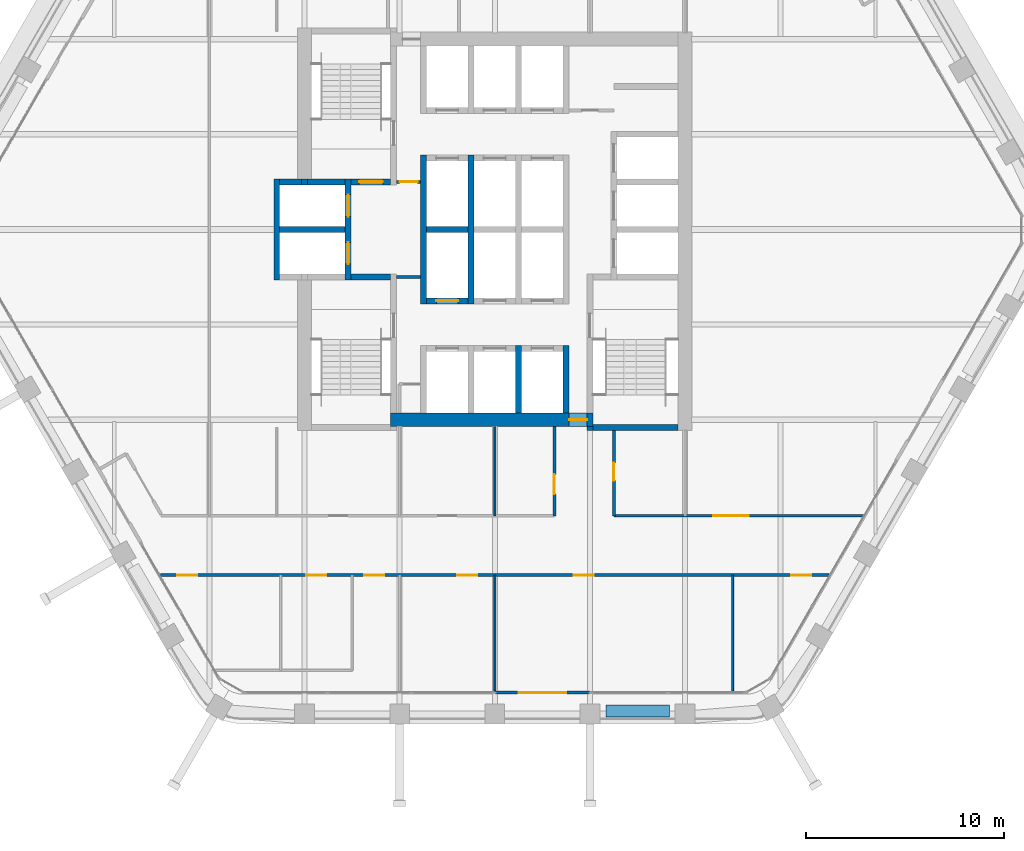
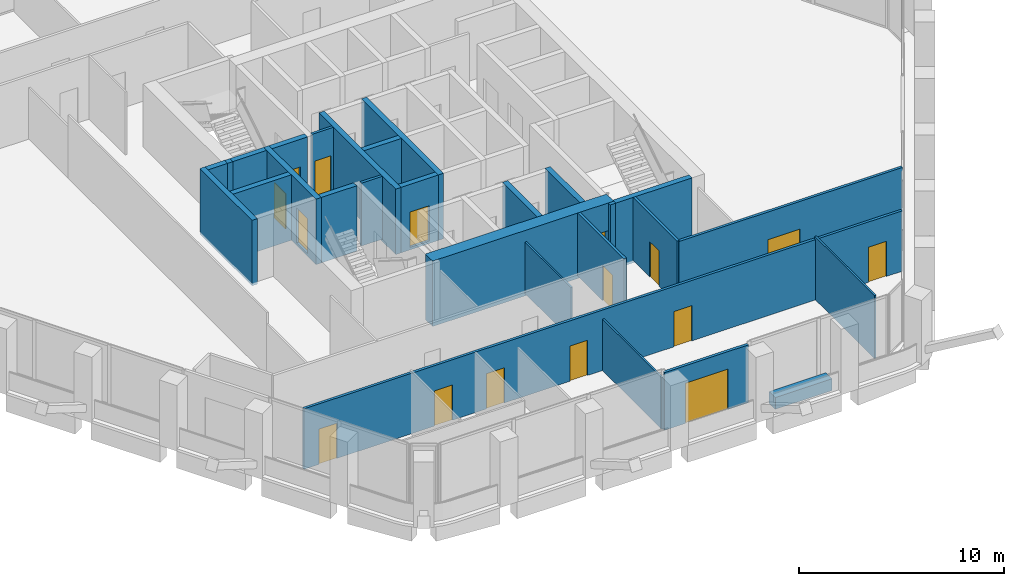
# One storey, part 10 of 16: 28 walls, 16 doors, 16 openings.
"""IFC4 building model written with IfcOpenShell, lengths in metres."""

from ifc_helpers import new_model, si_unit, direction, frame, frame_2d, origin, place, context, subcontext, project, spatial, rectangle, extrude, material, layer, layer_set, type_object, element, fill, save


model = new_model("IFC4")

# Units and contexts
model_context = context("Model", 3, precision=1e-05, world=origin(), true_north=direction((0.0, 1.0)))
body_context = subcontext(model_context, "Body", "Model", "MODEL_VIEW")
ifc_project = project(units=[si_unit("LENGTHUNIT", "METRE"), si_unit("AREAUNIT", "SQUARE_METRE"), si_unit("VOLUMEUNIT", "CUBIC_METRE"), si_unit("PLANEANGLEUNIT", "RADIAN"), si_unit("MASSUNIT", "GRAM", prefix="KILO")], contexts=[model_context])

# Site, building, storey
site_placement = place(None, origin())
site = spatial("IfcSite", under=ifc_project, at=site_placement, CompositionType="ELEMENT")
building_placement = place(site_placement, origin())
building = spatial("IfcBuilding", under=site, at=building_placement, Name="Kolab Exchange Tower", CompositionType="ELEMENT")
storey_placement = place(building_placement, frame((0.0, 0.0, 209.0)))
storey = spatial("IfcBuildingStorey", under=building, at=storey_placement, Name="L45", CompositionType="ELEMENT", Elevation=209.0)

# Wall, opening, door
ifc_material_1 = material(Name="Concrete C60/75", Category="concrete")
ifc_layer_1 = layer(ifc_material_1, 0.699951171875)
ifc_layer_set_1 = layer_set([ifc_layer_1], Name="Concrete C60/75")
wall_type_1 = type_object("IfcWallType", Name="CORE WALL 700 C60/75", PredefinedType="SHEAR", material=ifc_layer_set_1)
wall_1_placement = place(storey_placement, frame((-5.25, -9.60009765625, -0.14990234375), z_axis=(0.0, 0.0, 1.0), x_axis=(1.0, 0.0, 0.0)))
wall_1 = element("IfcWall", 1, at=wall_1_placement, inside=storey, type_object=wall_type_1, Name="wall/L45/core/002", PredefinedType="SHEAR", context=body_context, shape_type="SweptSolid", body=[
    extrude(rectangle(XDim=10.199951171875, YDim=0.699951171875, at=frame_2d((5.10009765625, 0.0))), origin(), (0.0, 0.0, 1.0), 3.89990234375),
])
opening_1_placement = place(wall_1_placement, frame((9.0, 0.0, 0.14990234375)))
opening_1 = element("IfcOpeningElement", 2, at=opening_1_placement, cuts=wall_1, Name="Opening D6-287", PredefinedType="OPENING", context=body_context, shape_type="SweptSolid", body=[
    extrude(rectangle(XDim=0.89990234375, YDim=2.10009765625, at=frame_2d((0.449951171875, 1.050048828125))), frame((0.0, 0.35986328125, 0.0), z_axis=(0.0, -1.0, 0.0), x_axis=(1.0, 0.0, 0.0)), (0.0, 0.0, 1.0), 0.719970703125),
])
ifc_material_2 = material(Name="Steel S235", Category="steel")
door_type_1 = type_object("IfcDoorType", Name="CORE DOOR 900 EI 120", OperationType="SINGLE_SWING_LEFT", PredefinedType="DOOR", material=ifc_material_2)
door_1_placement = place(opening_1_placement, origin())
door_1 = element("IfcDoor", 3, at=door_1_placement, inside=storey, type_object=door_type_1, Name="Core lobby door", OperationType="SINGLE_SWING_LEFT", OverallHeight=2.10009765625, OverallWidth=0.89990234375, PredefinedType="DOOR", context=body_context, shape_type="SweptSolid", body=[
    extrude(rectangle(XDim=0.89990234375, YDim=2.10009765625, at=frame_2d((0.449951171875, 1.050048828125))), frame((0.0, 0.02490234375, 0.0), z_axis=(0.0, -1.0, 0.0), x_axis=(1.0, 0.0, 0.0)), (0.0, 0.0, 1.0), 0.050048828125),
])
fill(opening_1, door_1)

ifc_material_3 = material(Name="Aluminium EN AW-6063 T6", Category="aluminium")
ifc_layer_2 = layer(ifc_material_3, 0.159912109375)
ifc_layer_set_2 = layer_set([ifc_layer_2], Name="Aluminium EN AW-6063 T6")
wall_type_2 = type_object("IfcWallType", Name="DOOR SURROUND WALL 160 ALUMINIUM FRAMED", PredefinedType="PARTITIONING", material=ifc_layer_set_2)
wall_2_placement = place(storey_placement, frame((4.77001953125, -23.361572265625, 0.0), z_axis=(0.0, 0.0, 1.0), x_axis=(-1.0, 0.0, 0.0)))
wall_2 = element("IfcWall", 4, at=wall_2_placement, inside=storey, type_object=wall_type_2, Name="Door surround wall", PredefinedType="PARTITIONING", context=body_context, shape_type="SweptSolid", body=[
    extrude(rectangle(XDim=4.739990234375, YDim=0.159912109375, at=frame_2d((2.3701171875, 0.0))), origin(), (0.0, 0.0, 1.0), 3.43994140625),
])
opening_2_placement = place(wall_2_placement, frame((1.169921875, 0.0, 0.0)))
opening_2 = element("IfcOpeningElement", 5, at=opening_2_placement, cuts=wall_2, Name="Opening GD1-084", PredefinedType="OPENING", context=body_context, shape_type="SweptSolid", body=[
    extrude(rectangle(XDim=2.39990234375, YDim=2.39990234375, at=frame_2d((1.199951171875, 1.199951171875))), frame((0.0, 0.08984375, 0.0), z_axis=(0.0, -1.0, 0.0), x_axis=(1.0, 0.0, 0.0)), (0.0, 0.0, 1.0), 0.179931640625),
])
door_type_2 = type_object("IfcDoorType", Name="LOGGIA SLIDING GLASS DOOR 2400 X 2400", OperationType="DOUBLE_DOOR_SINGLE_SWING", PredefinedType="DOOR", material=ifc_material_3)
door_2_placement = place(opening_2_placement, origin())
door_2 = element("IfcDoor", 6, at=door_2_placement, inside=storey, type_object=door_type_2, Name="Loggia door", OperationType="DOUBLE_DOOR_SLIDING", OverallHeight=2.39990234375, OverallWidth=2.39990234375, PredefinedType="DOOR", context=body_context, shape_type="SweptSolid", body=[
    extrude(rectangle(XDim=2.39990234375, YDim=2.39990234375, at=frame_2d((1.199951171875, 1.199951171875))), frame((0.0, 0.02490234375, 0.0), z_axis=(0.0, -1.0, 0.0), x_axis=(1.0, 0.0, 0.0)), (0.0, 0.0, 1.0), 0.050048828125),
])
fill(opening_2, door_2)

ifc_material_4 = material(Name="Concrete C50/60", Category="concrete")
ifc_layer_3 = layer(ifc_material_4, 0.300048828125)
ifc_layer_set_3 = layer_set([ifc_layer_3], Name="Concrete C50/60")
wall_type_3 = type_object("IfcWallType", Name="LIFT SHAFT WALL 300 C50/60", PredefinedType="STANDARD", material=ifc_layer_set_3)
wall_3_placement = place(storey_placement, frame((-3.449951171875, -3.60009765625, -0.14990234375), z_axis=(0.0, 0.0, 1.0), x_axis=(1.0, 0.0, 0.0)))
wall_3 = element("IfcWall", 7, at=wall_3_placement, inside=storey, type_object=wall_type_3, Name="wall/L45/core/006", PredefinedType="STANDARD", context=body_context, shape_type="SweptSolid", body=[
    extrude(rectangle(XDim=2.099853515625, YDim=0.300048828125, at=frame_2d((1.0498046875, 0.0))), origin(), (0.0, 0.0, 1.0), 3.89990234375),
])
opening_3_placement = place(wall_3_placement, frame((0.5, 0.0, 0.14990234375)))
opening_3 = element("IfcOpeningElement", 8, at=opening_3_placement, cuts=wall_3, Name="Opening LD1-118", PredefinedType="OPENING", context=body_context, shape_type="SweptSolid", body=[
    extrude(rectangle(XDim=1.10009765625, YDim=2.10009765625, at=frame_2d((0.550048828125, 1.050048828125))), frame((0.0, 0.16015625, 0.0), z_axis=(0.0, -1.0, 0.0), x_axis=(1.0, 0.0, 0.0)), (0.0, 0.0, 1.0), 0.320068359375),
])
ifc_material_5 = material(Name="Stainless steel 316", Category="steel")
door_type_3 = type_object("IfcDoorType", Name="LANDING DOOR 1100 PASSENGER", OperationType="DOUBLE_DOOR_SLIDING", PredefinedType="DOOR", material=ifc_material_5)
door_3_placement = place(opening_3_placement, origin())
door_3 = element("IfcDoor", 9, at=door_3_placement, inside=storey, type_object=door_type_3, Name="Landing door HR7", OperationType="DOUBLE_DOOR_SLIDING", OverallHeight=2.10009765625, OverallWidth=1.10009765625, PredefinedType="DOOR", context=body_context, shape_type="SweptSolid", body=[
    extrude(rectangle(XDim=1.10009765625, YDim=2.10009765625, at=frame_2d((0.550048828125, 1.050048828125))), frame((0.0, 0.02490234375, 0.0), z_axis=(0.0, -1.0, 0.0), x_axis=(1.0, 0.0, 0.0)), (0.0, 0.0, 1.0), 0.050048828125),
])
fill(opening_3, door_3)

# Walls
wall_4_placement = place(storey_placement, frame((-10.85009765625, 0.0, -0.14990234375), z_axis=(0.0, 0.0, 1.0), x_axis=(1.0, 0.0, 0.0)))
element("IfcWall", 10, at=wall_4_placement, inside=storey, type_object=wall_type_3, Name="wall/L45/core/014", PredefinedType="STANDARD", context=body_context, shape_type="SweptSolid", body=[
    extrude(rectangle(XDim=3.300048828125, YDim=0.300048828125, at=frame_2d((1.64990234375, 0.0))), origin(), (0.0, 0.0, 1.0), 3.89990234375),
])
wall_5_placement = place(storey_placement, frame((-3.449951171875, 0.0, -0.14990234375), z_axis=(0.0, 0.0, 1.0), x_axis=(1.0, 0.0, 0.0)))
element("IfcWall", 11, at=wall_5_placement, inside=storey, type_object=wall_type_3, Name="wall/L45/core/015", PredefinedType="STANDARD", context=body_context, shape_type="SweptSolid", body=[
    extrude(rectangle(XDim=2.099853515625, YDim=0.300048828125, at=frame_2d((1.0498046875, 0.0))), origin(), (0.0, 0.0, 1.0), 3.89990234375),
])
wall_6_placement = place(storey_placement, frame((-10.85009765625, 2.39990234375, -0.14990234375), z_axis=(0.0, 0.0, 1.0), x_axis=(1.0, 0.0, 0.0)))
element("IfcWall", 12, at=wall_6_placement, inside=storey, type_object=wall_type_3, Name="wall/L45/core/019", PredefinedType="STANDARD", context=body_context, shape_type="SweptSolid", body=[
    extrude(rectangle(XDim=1.10009765625, YDim=0.300048828125, at=frame_2d((0.550048828125, 0.0))), origin(), (0.0, 0.0, 1.0), 3.89990234375),
])
wall_7_placement = place(storey_placement, frame((-11.0, -2.550048828125, -0.14990234375), z_axis=(0.0, 0.0, 1.0), x_axis=(0.0, 1.0, 0.0)))
element("IfcWall", 13, at=wall_7_placement, inside=storey, type_object=wall_type_3, Name="wall/L45/core/033", PredefinedType="STANDARD", context=body_context, shape_type="SweptSolid", body=[
    extrude(rectangle(XDim=5.10009765625, YDim=0.300048828125, at=frame_2d((2.550048828125, 0.0))), origin(), (0.0, 0.0, 1.0), 3.89990234375),
])

# Wall, openings, doors
wall_8_placement = place(storey_placement, frame((-7.39990234375, -2.550048828125, -0.14990234375), z_axis=(0.0, 0.0, 1.0), x_axis=(0.0, 1.0, 0.0)))
wall_8 = element("IfcWall", 14, at=wall_8_placement, inside=storey, type_object=wall_type_3, Name="wall/L45/core/038", PredefinedType="STANDARD", context=body_context, shape_type="SweptSolid", body=[
    extrude(rectangle(XDim=5.10009765625, YDim=0.300048828125, at=frame_2d((2.550048828125, 0.0))), origin(), (0.0, 0.0, 1.0), 3.89990234375),
])
opening_4_placement = place(wall_8_placement, frame((0.800048828125, 0.0, 0.14990234375)))
opening_4 = element("IfcOpeningElement", 15, at=opening_4_placement, cuts=wall_8, Name="Opening LD2-025", PredefinedType="OPENING", context=body_context, shape_type="SweptSolid", body=[
    extrude(rectangle(XDim=1.10009765625, YDim=2.10009765625, at=frame_2d((0.550048828125, 1.050048828125))), frame((0.0, 0.16015625, 0.0), z_axis=(0.0, -1.0, 0.0), x_axis=(1.0, 0.0, 0.0)), (0.0, 0.0, 1.0), 0.320068359375),
])
opening_5_placement = place(wall_8_placement, frame((3.199951171875, 0.0, 0.14990234375)))
opening_5 = element("IfcOpeningElement", 16, at=opening_5_placement, cuts=wall_8, Name="Opening LD2-026", PredefinedType="OPENING", context=body_context, shape_type="SweptSolid", body=[
    extrude(rectangle(XDim=1.10009765625, YDim=2.10009765625, at=frame_2d((0.550048828125, 1.050048828125))), frame((0.0, 0.16015625, 0.0), z_axis=(0.0, -1.0, 0.0), x_axis=(1.0, 0.0, 0.0)), (0.0, 0.0, 1.0), 0.320068359375),
])
door_type_4 = type_object("IfcDoorType", Name="LANDING DOOR 1100 FIREFIGHTING", OperationType="DOUBLE_DOOR_SLIDING", PredefinedType="DOOR", material=ifc_material_5)
door_4_placement = place(opening_4_placement, origin())
door_4 = element("IfcDoor", 17, at=door_4_placement, inside=storey, type_object=door_type_4, Name="Landing door FF1", OperationType="DOUBLE_DOOR_SLIDING", OverallHeight=2.10009765625, OverallWidth=1.10009765625, PredefinedType="DOOR", context=body_context, shape_type="SweptSolid", body=[
    extrude(rectangle(XDim=1.10009765625, YDim=2.10009765625, at=frame_2d((0.550048828125, 1.050048828125))), frame((0.0, 0.02490234375, 0.0), z_axis=(0.0, -1.0, 0.0), x_axis=(1.0, 0.0, 0.0)), (0.0, 0.0, 1.0), 0.050048828125),
])
fill(opening_4, door_4)
door_5_placement = place(opening_5_placement, origin())
door_5 = element("IfcDoor", 18, at=door_5_placement, inside=storey, type_object=door_type_4, Name="Landing door FF2", OperationType="DOUBLE_DOOR_SLIDING", OverallHeight=2.10009765625, OverallWidth=1.10009765625, PredefinedType="DOOR", context=body_context, shape_type="SweptSolid", body=[
    extrude(rectangle(XDim=1.10009765625, YDim=2.10009765625, at=frame_2d((0.550048828125, 1.050048828125))), frame((0.0, 0.02490234375, 0.0), z_axis=(0.0, -1.0, 0.0), x_axis=(1.0, 0.0, 0.0)), (0.0, 0.0, 1.0), 0.050048828125),
])
fill(opening_5, door_5)

# Walls
for number, where, z_axis, x_axis, name in (
    (19, (-3.60009765625, -3.75, -0.14990234375), (0.0, 0.0, 1.0), (0.0, 1.0, 0.0), "wall/L45/core/044"),
    (20, (-1.199951171875, -3.75, -0.14990234375), (0.0, 0.0, 1.0), (0.0, 1.0, 0.0), "wall/L45/core/047"),
):
    element("IfcWall", number, at=place(storey_placement, frame(where, z_axis=z_axis, x_axis=x_axis)), inside=storey, type_object=wall_type_3, Name=name, PredefinedType="STANDARD", context=body_context, shape_type="SweptSolid", body=[
        extrude(rectangle(XDim=7.5, YDim=0.300048828125, at=frame_2d((3.75, 0.0))), origin(), (0.0, 0.0, 1.0), 3.89990234375),
    ])
for number, where, z_axis, x_axis, name in (
    (21, (1.199951171875, -9.25, -0.14990234375), (0.0, 0.0, 1.0), (0.0, 1.0, 0.0), "wall/L45/core/049"),
    (22, (3.60009765625, -9.25, -0.14990234375), (0.0, 0.0, 1.0), (0.0, 1.0, 0.0), "wall/L45/core/052"),
):
    element("IfcWall", number, at=place(storey_placement, frame(where, z_axis=z_axis, x_axis=x_axis)), inside=storey, type_object=wall_type_3, Name=name, PredefinedType="STANDARD", context=body_context, shape_type="SweptSolid", body=[
        extrude(rectangle(XDim=3.39990234375, YDim=0.300048828125, at=frame_2d((1.699951171875, 0.0))), origin(), (0.0, 0.0, 1.0), 3.89990234375),
    ])
ifc_material_6 = material(Name="Gypsum board", Category="gypsum")
ifc_layer_4 = layer(ifc_material_6, 0.10009765625)
ifc_layer_set_4 = layer_set([ifc_layer_4], Name="Gypsum board")
wall_type_4 = type_object("IfcWallType", Name="PARTITION 100", PredefinedType="PARTITIONING", material=ifc_layer_set_4)
wall_9_placement = place(storey_placement, frame((12.0, -23.271484375, 0.0), z_axis=(0.0, 0.0, 1.0), x_axis=(0.0, 1.0, 0.0)))
element("IfcWall", 23, at=wall_9_placement, inside=storey, type_object=wall_type_4, Name="Partition 001", PredefinedType="PARTITIONING", context=body_context, shape_type="SweptSolid", body=[
    extrude(rectangle(XDim=5.830078125, YDim=0.10009765625, at=frame_2d((2.9150390625, 0.0))), origin(), (0.0, 0.0, 1.0), 3.75),
])
wall_10_placement = place(storey_placement, frame((0.0, -23.281494140625, 0.0), z_axis=(0.0, 0.0, 1.0), x_axis=(0.0, 1.0, 0.0)))
element("IfcWall", 24, at=wall_10_placement, inside=storey, type_object=wall_type_4, Name="Partition 009", PredefinedType="PARTITIONING", context=body_context, shape_type="SweptSolid", body=[
    extrude(rectangle(XDim=5.840087890625, YDim=0.10009765625, at=frame_2d((2.919921875, 0.0))), origin(), (0.0, 0.0, 1.0), 3.06591796875),
])
wall_11_placement = place(storey_placement, frame((0.0, -14.44140625, 0.0), z_axis=(0.0, 0.0, 1.0), x_axis=(0.0, 1.0, 0.0)))
element("IfcWall", 25, at=wall_11_placement, inside=storey, type_object=wall_type_4, Name="Partition 010", PredefinedType="PARTITIONING", context=body_context, shape_type="SweptSolid", body=[
    extrude(rectangle(XDim=4.491455078125, YDim=0.10009765625, at=frame_2d((2.24560546875, 0.0))), origin(), (0.0, 0.0, 1.0), 3.06591796875),
])

# Wall, opening, door
ifc_layer_5 = layer(ifc_material_6, 0.14990234375)
ifc_layer_set_5 = layer_set([ifc_layer_5], Name="Gypsum board")
wall_type_5 = type_object("IfcWallType", Name="PARTITION 150 FIRE-RATED", PredefinedType="PARTITIONING", material=ifc_layer_set_5)
wall_12_placement = place(storey_placement, frame((6.0, -14.44140625, 0.0), z_axis=(0.0, 0.0, 1.0), x_axis=(0.0, 1.0, 0.0)))
wall_12 = element("IfcWall", 26, at=wall_12_placement, inside=storey, type_object=wall_type_5, Name="Partition 005", PredefinedType="PARTITIONING", context=body_context, shape_type="SweptSolid", body=[
    extrude(rectangle(XDim=4.29150390625, YDim=0.14990234375, at=frame_2d((2.145751953125, 0.0))), origin(), (0.0, 0.0, 1.0), 3.75),
])
opening_6_placement = place(wall_12_placement, frame((1.770751953125, 0.0, 0.0)))
opening_6 = element("IfcOpeningElement", 27, at=opening_6_placement, cuts=wall_12, Name="Opening D3-063", PredefinedType="OPENING", context=body_context, shape_type="SweptSolid", body=[
    extrude(rectangle(XDim=0.89990234375, YDim=2.10009765625, at=frame_2d((0.449951171875, 1.050048828125))), frame((0.0, 0.0849609375, 0.0), z_axis=(0.0, -1.0, 0.0), x_axis=(1.0, 0.0, 0.0)), (0.0, 0.0, 1.0), 0.169921875),
])
door_type_5 = type_object("IfcDoorType", Name="FLUSH DOOR 900 FD60", OperationType="SINGLE_SWING_LEFT", PredefinedType="DOOR", material=ifc_material_2)
door_6_placement = place(opening_6_placement, frame((0.89990234375, 0.0, 0.0), z_axis=(0.0, 0.0, 1.0), x_axis=(-1.0, 0.0, 0.0)))
door_6 = element("IfcDoor", 28, at=door_6_placement, inside=storey, type_object=door_type_5, Name="Door L45-034", OperationType="SINGLE_SWING_RIGHT", OverallHeight=2.10009765625, OverallWidth=0.89990234375, PredefinedType="DOOR", context=body_context, shape_type="SweptSolid", body=[
    extrude(rectangle(XDim=0.89990234375, YDim=2.10009765625, at=frame_2d((0.449951171875, 1.050048828125))), frame((0.0, 0.02490234375, 0.0), z_axis=(0.0, -1.0, 0.0), x_axis=(1.0, 0.0, 0.0)), (0.0, 0.0, 1.0), 0.050048828125),
])
fill(opening_6, door_6)

wall_13_placement = place(storey_placement, frame((3.0, -14.44140625, 0.0), z_axis=(0.0, 0.0, 1.0), x_axis=(0.0, 1.0, 0.0)))
wall_13 = element("IfcWall", 29, at=wall_13_placement, inside=storey, type_object=wall_type_5, Name="Partition 008", PredefinedType="PARTITIONING", context=body_context, shape_type="SweptSolid", body=[
    extrude(rectangle(XDim=4.491455078125, YDim=0.14990234375, at=frame_2d((2.24560546875, 0.0))), origin(), (0.0, 0.0, 1.0), 3.75),
])
opening_7_placement = place(wall_13_placement, frame((1.08544921875, 0.0, 0.0)))
opening_7 = element("IfcOpeningElement", 30, at=opening_7_placement, cuts=wall_13, Name="Opening D1-571", PredefinedType="OPENING", context=body_context, shape_type="SweptSolid", body=[
    extrude(rectangle(XDim=1.0, YDim=2.10009765625, at=frame_2d((0.5, 1.050048828125))), frame((0.0, 0.0849609375, 0.0), z_axis=(0.0, -1.0, 0.0), x_axis=(1.0, 0.0, 0.0)), (0.0, 0.0, 1.0), 0.169921875),
])
door_type_6 = type_object("IfcDoorType", Name="FLUSH DOOR 1000 FD60", OperationType="SINGLE_SWING_LEFT", PredefinedType="DOOR", material=ifc_material_2)
door_7_placement = place(opening_7_placement, origin())
door_7 = element("IfcDoor", 31, at=door_7_placement, inside=storey, type_object=door_type_6, Name="Door L45-037", OperationType="SINGLE_SWING_LEFT", OverallHeight=2.10009765625, OverallWidth=1.0, PredefinedType="DOOR", context=body_context, shape_type="SweptSolid", body=[
    extrude(rectangle(XDim=1.0, YDim=2.10009765625, at=frame_2d((0.5, 1.050048828125))), frame((0.0, 0.02490234375, 0.0), z_axis=(0.0, -1.0, 0.0), x_axis=(1.0, 0.0, 0.0)), (0.0, 0.0, 1.0), 0.050048828125),
])
fill(opening_7, door_7)

# Wall, openings, doors
wall_14_placement = place(storey_placement, frame((-16.859619140625, -17.44140625, 0.0), z_axis=(0.0, 0.0, 1.0), x_axis=(1.0, 0.0, 0.0)))
wall_14 = element("IfcWall", 32, at=wall_14_placement, inside=storey, type_object=wall_type_5, Name="Partition 029", PredefinedType="PARTITIONING", context=body_context, shape_type="SweptSolid", body=[
    extrude(rectangle(XDim=33.71923828125, YDim=0.14990234375, at=frame_2d((16.859619140625, 0.0))), origin(), (0.0, 0.0, 1.0), 3.60009765625),
])
opening_8_placement = place(wall_14_placement, frame((0.85107421875, 0.0, 0.0)))
opening_8 = element("IfcOpeningElement", 33, at=opening_8_placement, cuts=wall_14, Name="Opening D1-585", PredefinedType="OPENING", context=body_context, shape_type="SweptSolid", body=[
    extrude(rectangle(XDim=1.0, YDim=2.10009765625, at=frame_2d((0.5, 1.050048828125))), frame((0.0, 0.0849609375, 0.0), z_axis=(0.0, -1.0, 0.0), x_axis=(1.0, 0.0, 0.0)), (0.0, 0.0, 1.0), 0.169921875),
])
opening_9_placement = place(wall_14_placement, frame((7.359619140625, 0.0, 0.0)))
opening_9 = element("IfcOpeningElement", 34, at=opening_9_placement, cuts=wall_14, Name="Opening D1-586", PredefinedType="OPENING", context=body_context, shape_type="SweptSolid", body=[
    extrude(rectangle(XDim=1.0, YDim=2.10009765625, at=frame_2d((0.5, 1.050048828125))), frame((0.0, 0.0849609375, 0.0), z_axis=(0.0, -1.0, 0.0), x_axis=(1.0, 0.0, 0.0)), (0.0, 0.0, 1.0), 0.169921875),
])
opening_10_placement = place(wall_14_placement, frame((10.284423828125, 0.0, 0.0)))
opening_10 = element("IfcOpeningElement", 35, at=opening_10_placement, cuts=wall_14, Name="Opening D1-587", PredefinedType="OPENING", context=body_context, shape_type="SweptSolid", body=[
    extrude(rectangle(XDim=1.0, YDim=2.10009765625, at=frame_2d((0.5, 1.050048828125))), frame((0.0, 0.0849609375, 0.0), z_axis=(0.0, -1.0, 0.0), x_axis=(1.0, 0.0, 0.0)), (0.0, 0.0, 1.0), 0.169921875),
])
opening_11_placement = place(wall_14_placement, frame((14.974609375, 0.0, 0.0)))
opening_11 = element("IfcOpeningElement", 36, at=opening_11_placement, cuts=wall_14, Name="Opening D1-588", PredefinedType="OPENING", context=body_context, shape_type="SweptSolid", body=[
    extrude(rectangle(XDim=1.0, YDim=2.10009765625, at=frame_2d((0.5, 1.050048828125))), frame((0.0, 0.0849609375, 0.0), z_axis=(0.0, -1.0, 0.0), x_axis=(1.0, 0.0, 0.0)), (0.0, 0.0, 1.0), 0.169921875),
])
opening_12_placement = place(wall_14_placement, frame((20.844482421875, 0.0, 0.0)))
opening_12 = element("IfcOpeningElement", 37, at=opening_12_placement, cuts=wall_14, Name="Opening D1-589", PredefinedType="OPENING", context=body_context, shape_type="SweptSolid", body=[
    extrude(rectangle(XDim=1.0, YDim=2.10009765625, at=frame_2d((0.5, 1.050048828125))), frame((0.0, 0.0849609375, 0.0), z_axis=(0.0, -1.0, 0.0), x_axis=(1.0, 0.0, 0.0)), (0.0, 0.0, 1.0), 0.169921875),
])
opening_13_placement = place(wall_14_placement, frame((31.80908203125, 0.0, 0.0)))
opening_13 = element("IfcOpeningElement", 38, at=opening_13_placement, cuts=wall_14, Name="Opening D1-590", PredefinedType="OPENING", context=body_context, shape_type="SweptSolid", body=[
    extrude(rectangle(XDim=1.0, YDim=2.10009765625, at=frame_2d((0.5, 1.050048828125))), frame((0.0, 0.0849609375, 0.0), z_axis=(0.0, -1.0, 0.0), x_axis=(1.0, 0.0, 0.0)), (0.0, 0.0, 1.0), 0.169921875),
])
door_8_placement = place(opening_8_placement, frame((1.0, 0.0, 0.0), z_axis=(0.0, 0.0, 1.0), x_axis=(-1.0, 0.0, 0.0)))
door_8 = element("IfcDoor", 39, at=door_8_placement, inside=storey, type_object=door_type_6, Name="Door L45-045", OperationType="SINGLE_SWING_LEFT", OverallHeight=2.10009765625, OverallWidth=1.0, PredefinedType="DOOR", context=body_context, shape_type="SweptSolid", body=[
    extrude(rectangle(XDim=1.0, YDim=2.10009765625, at=frame_2d((0.5, 1.050048828125))), frame((0.0, 0.02490234375, 0.0), z_axis=(0.0, -1.0, 0.0), x_axis=(1.0, 0.0, 0.0)), (0.0, 0.0, 1.0), 0.050048828125),
])
fill(opening_8, door_8)
door_9_placement = place(opening_9_placement, frame((1.0, 0.0, 0.0), z_axis=(0.0, 0.0, 1.0), x_axis=(-1.0, 0.0, 0.0)))
door_9 = element("IfcDoor", 40, at=door_9_placement, inside=storey, type_object=door_type_6, Name="Door L45-046", OperationType="SINGLE_SWING_RIGHT", OverallHeight=2.10009765625, OverallWidth=1.0, PredefinedType="DOOR", context=body_context, shape_type="SweptSolid", body=[
    extrude(rectangle(XDim=1.0, YDim=2.10009765625, at=frame_2d((0.5, 1.050048828125))), frame((0.0, 0.02490234375, 0.0), z_axis=(0.0, -1.0, 0.0), x_axis=(1.0, 0.0, 0.0)), (0.0, 0.0, 1.0), 0.050048828125),
])
fill(opening_9, door_9)
door_10_placement = place(opening_10_placement, frame((1.0, 0.0, 0.0), z_axis=(0.0, 0.0, 1.0), x_axis=(-1.0, 0.0, 0.0)))
door_10 = element("IfcDoor", 41, at=door_10_placement, inside=storey, type_object=door_type_6, Name="Door L45-047", OperationType="SINGLE_SWING_LEFT", OverallHeight=2.10009765625, OverallWidth=1.0, PredefinedType="DOOR", context=body_context, shape_type="SweptSolid", body=[
    extrude(rectangle(XDim=1.0, YDim=2.10009765625, at=frame_2d((0.5, 1.050048828125))), frame((0.0, 0.02490234375, 0.0), z_axis=(0.0, -1.0, 0.0), x_axis=(1.0, 0.0, 0.0)), (0.0, 0.0, 1.0), 0.050048828125),
])
fill(opening_10, door_10)
door_11_placement = place(opening_11_placement, frame((1.0, 0.0, 0.0), z_axis=(0.0, 0.0, 1.0), x_axis=(-1.0, 0.0, 0.0)))
door_11 = element("IfcDoor", 42, at=door_11_placement, inside=storey, type_object=door_type_6, Name="Door L45-048", OperationType="SINGLE_SWING_RIGHT", OverallHeight=2.10009765625, OverallWidth=1.0, PredefinedType="DOOR", context=body_context, shape_type="SweptSolid", body=[
    extrude(rectangle(XDim=1.0, YDim=2.10009765625, at=frame_2d((0.5, 1.050048828125))), frame((0.0, 0.02490234375, 0.0), z_axis=(0.0, -1.0, 0.0), x_axis=(1.0, 0.0, 0.0)), (0.0, 0.0, 1.0), 0.050048828125),
])
fill(opening_11, door_11)
door_12_placement = place(opening_12_placement, frame((1.0, 0.0, 0.0), z_axis=(0.0, 0.0, 1.0), x_axis=(-1.0, 0.0, 0.0)))
door_12 = element("IfcDoor", 43, at=door_12_placement, inside=storey, type_object=door_type_6, Name="Door L45-049", OperationType="SINGLE_SWING_LEFT", OverallHeight=2.10009765625, OverallWidth=1.0, PredefinedType="DOOR", context=body_context, shape_type="SweptSolid", body=[
    extrude(rectangle(XDim=1.0, YDim=2.10009765625, at=frame_2d((0.5, 1.050048828125))), frame((0.0, 0.02490234375, 0.0), z_axis=(0.0, -1.0, 0.0), x_axis=(1.0, 0.0, 0.0)), (0.0, 0.0, 1.0), 0.050048828125),
])
fill(opening_12, door_12)
door_13_placement = place(opening_13_placement, frame((1.0, 0.0, 0.0), z_axis=(0.0, 0.0, 1.0), x_axis=(-1.0, 0.0, 0.0)))
door_13 = element("IfcDoor", 44, at=door_13_placement, inside=storey, type_object=door_type_6, Name="Door L45-050", OperationType="SINGLE_SWING_RIGHT", OverallHeight=2.10009765625, OverallWidth=1.0, PredefinedType="DOOR", context=body_context, shape_type="SweptSolid", body=[
    extrude(rectangle(XDim=1.0, YDim=2.10009765625, at=frame_2d((0.5, 1.050048828125))), frame((0.0, 0.02490234375, 0.0), z_axis=(0.0, -1.0, 0.0), x_axis=(1.0, 0.0, 0.0)), (0.0, 0.0, 1.0), 0.050048828125),
])
fill(opening_13, door_13)

# Wall, opening, door
wall_15_placement = place(storey_placement, frame((6.0, -14.44140625, 0.0), z_axis=(0.0, 0.0, 1.0), x_axis=(1.0, 0.0, 0.0)))
wall_15 = element("IfcWall", 45, at=wall_15_placement, inside=storey, type_object=wall_type_5, Name="Partition 031", PredefinedType="PARTITIONING", context=body_context, shape_type="SweptSolid", body=[
    extrude(rectangle(XDim=12.591552734375, YDim=0.14990234375, at=frame_2d((6.2958984375, 0.0))), origin(), (0.0, 0.0, 1.0), 3.75),
])
opening_14_placement = place(wall_15_placement, frame((5.014404296875, 0.0, 0.0)))
opening_14 = element("IfcOpeningElement", 46, at=opening_14_placement, cuts=wall_15, Name="Opening D2-059", PredefinedType="OPENING", context=body_context, shape_type="SweptSolid", body=[
    extrude(rectangle(XDim=1.800048828125, YDim=2.10009765625, at=frame_2d((0.89990234375, 1.050048828125))), frame((0.0, 0.0849609375, 0.0), z_axis=(0.0, -1.0, 0.0), x_axis=(1.0, 0.0, 0.0)), (0.0, 0.0, 1.0), 0.169921875),
])
door_type_7 = type_object("IfcDoorType", Name="DOUBLE DOOR 1800 FD60", OperationType="DOUBLE_DOOR_SINGLE_SWING", PredefinedType="DOOR", material=ifc_material_2)
door_14_placement = place(opening_14_placement, origin())
door_14 = element("IfcDoor", 47, at=door_14_placement, inside=storey, type_object=door_type_7, Name="Door L45-051", OperationType="SINGLE_SWING_LEFT", OverallHeight=2.10009765625, OverallWidth=1.800048828125, PredefinedType="DOOR", context=body_context, shape_type="SweptSolid", body=[
    extrude(rectangle(XDim=1.800048828125, YDim=2.10009765625, at=frame_2d((0.89990234375, 1.050048828125))), frame((0.0, 0.02490234375, 0.0), z_axis=(0.0, -1.0, 0.0), x_axis=(1.0, 0.0, 0.0)), (0.0, 0.0, 1.0), 0.050048828125),
])
fill(opening_14, door_14)

wall_16_placement = place(storey_placement, frame((-4.949951171875, 2.39990234375, 0.0), z_axis=(0.0, 0.0, 1.0), x_axis=(1.0, 0.0, 0.0)))
wall_16 = element("IfcWall", 48, at=wall_16_placement, inside=storey, type_object=wall_type_5, Name="Fire partition", PredefinedType="PARTITIONING", context=body_context, shape_type="SweptSolid", body=[
    extrude(rectangle(XDim=1.199951171875, YDim=0.14990234375, at=frame_2d((0.60009765625, 0.0))), origin(), (0.0, 0.0, 1.0), 3.75),
])
opening_15_placement = place(wall_16_placement, frame((0.14990234375, 0.0, 0.0)))
opening_15 = element("IfcOpeningElement", 49, at=opening_15_placement, cuts=wall_16, Name="Opening D6-288", PredefinedType="OPENING", context=body_context, shape_type="SweptSolid", body=[
    extrude(rectangle(XDim=0.89990234375, YDim=2.10009765625, at=frame_2d((0.449951171875, 1.050048828125))), frame((0.0, 0.0849609375, 0.0), z_axis=(0.0, -1.0, 0.0), x_axis=(1.0, 0.0, 0.0)), (0.0, 0.0, 1.0), 0.169921875),
])
door_15_placement = place(opening_15_placement, frame((0.89990234375, 0.0, 0.0), z_axis=(0.0, 0.0, 1.0), x_axis=(-1.0, 0.0, 0.0)))
door_15 = element("IfcDoor", 50, at=door_15_placement, inside=storey, type_object=door_type_1, Name="Firefighting lobby door", OperationType="SINGLE_SWING_RIGHT", OverallHeight=2.10009765625, OverallWidth=0.89990234375, PredefinedType="DOOR", context=body_context, shape_type="SweptSolid", body=[
    extrude(rectangle(XDim=0.89990234375, YDim=2.10009765625, at=frame_2d((0.449951171875, 1.050048828125))), frame((0.0, 0.02490234375, 0.0), z_axis=(0.0, -1.0, 0.0), x_axis=(1.0, 0.0, 0.0)), (0.0, 0.0, 1.0), 0.050048828125),
])
fill(opening_15, door_15)

# Walls
wall_17_placement = place(storey_placement, frame((-4.949951171875, -2.39990234375, 0.0), z_axis=(0.0, 0.0, 1.0), x_axis=(1.0, 0.0, 0.0)))
element("IfcWall", 51, at=wall_17_placement, inside=storey, type_object=wall_type_5, Name="Fire partition", PredefinedType="PARTITIONING", context=body_context, shape_type="SweptSolid", body=[
    extrude(rectangle(XDim=1.199951171875, YDim=0.14990234375, at=frame_2d((0.60009765625, 0.0))), origin(), (0.0, 0.0, 1.0), 3.75),
])
ifc_material_7 = material(Name="Granite facing", Category="masonry")
ifc_layer_6 = layer(ifc_material_7, 0.0400390625)
ifc_material_8 = material(Name="Concrete C40/50 precast", Category="concrete")
ifc_layer_7 = layer(ifc_material_8, 0.56005859375)
ifc_layer_set_6 = layer_set([ifc_layer_6, ifc_layer_7], Name="Concrete C40/50 precast")
wall_type_6 = type_object("IfcWallType", Name="PLANTER BOX 600 X 700 SOIL DEPTH 550", PredefinedType="USERDEFINED", material=ifc_layer_set_6)
wall_18_placement = place(storey_placement, frame((8.800048828125, -24.29150390625, 0.0), z_axis=(0.0, 0.0, 1.0), x_axis=(-1.0, 0.0, 0.0)))
element("IfcWall", 52, at=wall_18_placement, inside=storey, type_object=wall_type_6, Name="Planter", ObjectType="PLANTER", PredefinedType="USERDEFINED", context=body_context, shape_type="SweptSolid", body=[
    extrude(rectangle(XDim=3.199951171875, YDim=0.60009765625, at=frame_2d((1.60009765625, 0.0))), origin(), (0.0, 0.0, 1.0), 0.699951171875),
])
ifc_layer_8 = layer(ifc_material_4, 0.300048828125)
ifc_layer_set_7 = layer_set([ifc_layer_8], Name="Concrete C50/60")
wall_type_7 = type_object("IfcWallType", Name="STAIR ENCLOSURE WALL 300 C50/60", PredefinedType="STANDARD", material=ifc_layer_set_7)
wall_19_placement = place(storey_placement, frame((4.949951171875, -10.0, -0.14990234375), z_axis=(0.0, 0.0, 1.0), x_axis=(1.0, 0.0, 0.0)))
element("IfcWall", 53, at=wall_19_placement, inside=storey, type_object=wall_type_7, Name="wall/L45/core/001", PredefinedType="STANDARD", context=body_context, shape_type="SweptSolid", body=[
    extrude(rectangle(XDim=4.300048828125, YDim=0.300048828125, at=frame_2d((2.14990234375, 0.0))), origin(), (0.0, 0.0, 1.0), 3.89990234375),
])
wall_20_placement = place(storey_placement, frame((-7.25, -2.39990234375, -0.14990234375), z_axis=(0.0, 0.0, 1.0), x_axis=(1.0, 0.0, 0.0)))
element("IfcWall", 54, at=wall_20_placement, inside=storey, type_object=wall_type_7, Name="wall/L45/core/011", PredefinedType="STANDARD", context=body_context, shape_type="SweptSolid", body=[
    extrude(rectangle(XDim=2.0, YDim=0.300048828125, at=frame_2d((1.0, 0.0))), origin(), (0.0, 0.0, 1.0), 3.89990234375),
])
wall_21_placement = place(storey_placement, frame((-9.449951171875, 2.39990234375, -0.14990234375), z_axis=(0.0, 0.0, 1.0), x_axis=(1.0, 0.0, 0.0)))
element("IfcWall", 55, at=wall_21_placement, inside=storey, type_object=wall_type_7, Name="wall/L45/core/020", PredefinedType="STANDARD", context=body_context, shape_type="SweptSolid", body=[
    extrude(rectangle(XDim=1.89990234375, YDim=0.300048828125, at=frame_2d((0.949951171875, 0.0))), origin(), (0.0, 0.0, 1.0), 3.89990234375),
])

# Wall, opening, door
wall_22_placement = place(storey_placement, frame((-7.25, 2.39990234375, -0.14990234375), z_axis=(0.0, 0.0, 1.0), x_axis=(1.0, 0.0, 0.0)))
wall_22 = element("IfcWall", 56, at=wall_22_placement, inside=storey, type_object=wall_type_7, Name="wall/L45/core/021", PredefinedType="STANDARD", context=body_context, shape_type="SweptSolid", body=[
    extrude(rectangle(XDim=2.0, YDim=0.300048828125, at=frame_2d((1.0, 0.0))), origin(), (0.0, 0.0, 1.0), 3.89990234375),
])
opening_16_placement = place(wall_22_placement, frame((0.39990234375, 0.0, 0.14990234375)))
opening_16 = element("IfcOpeningElement", 57, at=opening_16_placement, cuts=wall_22, Name="Opening D4-065", PredefinedType="OPENING", context=body_context, shape_type="SweptSolid", body=[
    extrude(rectangle(XDim=1.199951171875, YDim=2.10009765625, at=frame_2d((0.60009765625, 1.050048828125))), frame((0.0, 0.16015625, 0.0), z_axis=(0.0, -1.0, 0.0), x_axis=(1.0, 0.0, 0.0)), (0.0, 0.0, 1.0), 0.320068359375),
])
door_type_8 = type_object("IfcDoorType", Name="STAIR DOOR 1200 EI 120", OperationType="SINGLE_SWING_LEFT", PredefinedType="DOOR", material=ifc_material_2)
door_16_placement = place(opening_16_placement, origin())
door_16 = element("IfcDoor", 58, at=door_16_placement, inside=storey, type_object=door_type_8, Name="Stair 1 door", OperationType="SINGLE_SWING_RIGHT", OverallHeight=2.10009765625, OverallWidth=1.199951171875, PredefinedType="DOOR", context=body_context, shape_type="SweptSolid", body=[
    extrude(rectangle(XDim=1.199951171875, YDim=2.10009765625, at=frame_2d((0.60009765625, 1.050048828125))), frame((0.0, 0.02490234375, 0.0), z_axis=(0.0, -1.0, 0.0), x_axis=(1.0, 0.0, 0.0)), (0.0, 0.0, 1.0), 0.050048828125),
])
fill(opening_16, door_16)

# Walls
wall_23_placement = place(storey_placement, frame((-9.60009765625, 2.25, -0.14990234375), z_axis=(0.0, 0.0, 1.0), x_axis=(0.0, 1.0, 0.0)))
element("IfcWall", 59, at=wall_23_placement, inside=storey, type_object=wall_type_7, Name="wall/L45/core/036", PredefinedType="STANDARD", context=body_context, shape_type="SweptSolid", body=[
    extrude(rectangle(XDim=0.300048828125, YDim=0.300048828125, at=frame_2d((0.14990234375, 0.0))), origin(), (0.0, 0.0, 1.0), 3.89990234375),
])
wall_24_placement = place(storey_placement, frame((4.800048828125, -10.14990234375, -0.14990234375), z_axis=(0.0, 0.0, 1.0), x_axis=(0.0, 1.0, 0.0)))
element("IfcWall", 60, at=wall_24_placement, inside=storey, type_object=wall_type_7, Name="wall/L45/core/055", PredefinedType="STANDARD", context=body_context, shape_type="SweptSolid", body=[
    extrude(rectangle(XDim=0.199951171875, YDim=0.300048828125, at=frame_2d((0.10009765625, 0.0))), origin(), (0.0, 0.0, 1.0), 3.89990234375),
])

save(model, "model.ifc")
